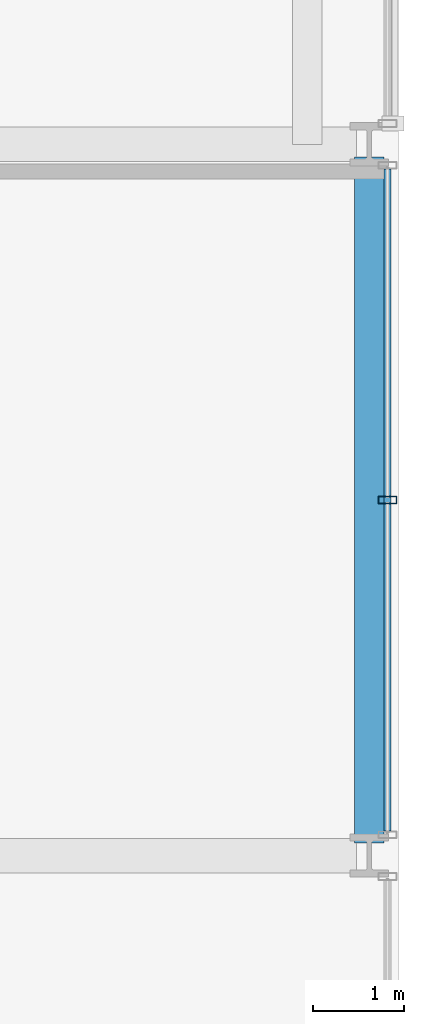
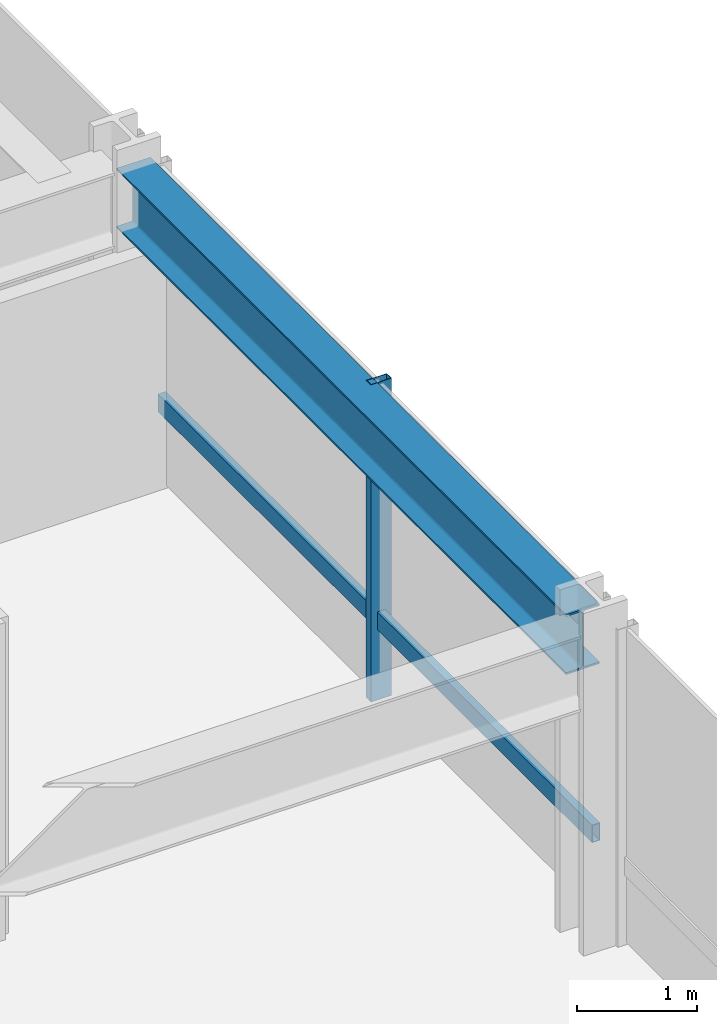
# One storey, part 14 of 37: 2 members, 1 beam, 1 element without a shape of its own.
"""IFC4 building model written with IfcOpenShell, lengths in metres."""

import ifcopenshell
import ifcopenshell.guid

model = None  # the IFC model being written
_history = None  # IfcOwnerHistory: only IFC2X3 demands one
_inside = {}  # id of a spatial element -> (the spatial element, [elements in it])
_under = {}  # id of a project, library or spatial element -> (it, [spatial elements below it])
_declared = {}  # id of a project -> (the project, [libraries it declares])
_typed = {}  # id of a type object -> (the type object, [elements of that type])
_made_of = {}  # id of a material, layer set ... -> (it, [elements and type objects made of it])


def new_model(schema):
    """Start an empty IFC model of exactly this schema.

    Asked for "IFC4X3", IfcOpenShell would pick the latest addendum, in which some entities
    have other attributes; the version numbers below select the first issue.
    IFC2X3 requires an IfcOwnerHistory on every rooted entity: one is made here for all.
    """
    global model, _history
    if schema == "IFC4X3":
        model = ifcopenshell.file(schema_version=(4, 3, 0, 0))
    else:
        model = ifcopenshell.file(schema=schema)
    _inside.clear()
    _under.clear()
    _declared.clear()
    _typed.clear()
    _made_of.clear()
    _history = None
    if model.schema == "IFC2X3":
        org = make("IfcOrganization", Name="unknown")
        user = make(
            "IfcPersonAndOrganization",
            ThePerson=make("IfcPerson", FamilyName="unknown"),
            TheOrganization=org,
        )
        app = make(
            "IfcApplication",
            ApplicationDeveloper=org,
            Version="unknown",
            ApplicationFullName="unknown",
            ApplicationIdentifier="unknown",
        )
        _history = make(
            "IfcOwnerHistory",
            OwningUser=user,
            OwningApplication=app,
            ChangeAction="ADDED",
            CreationDate=0,
        )
    return model


def make(cls, **values):
    """One entity of the class cls with the attributes given. An attribute that is None is left unset."""
    return model.create_entity(
        cls, **{name: value for name, value in values.items() if value is not None}
    )


def rooted(cls, **values):
    """An entity with a GlobalId (a new one), such as an element, a storey or a relation."""
    return make(cls, GlobalId=ifcopenshell.guid.new(), OwnerHistory=_history, **values)


def si_unit(unit_type, name, prefix=None):
    """IfcSIUnit, for example si_unit("LENGTHUNIT", "METRE", prefix="MILLI")."""
    return make("IfcSIUnit", UnitType=unit_type, Prefix=prefix, Name=name)


def assignment(units):
    """IfcUnitAssignment: the units of a project."""
    return None if units is None else make("IfcUnitAssignment", Units=units)


def point(xyz):
    """IfcCartesianPoint."""
    return None if xyz is None else make("IfcCartesianPoint", Coordinates=xyz)


def direction(xyz):
    """IfcDirection."""
    return None if xyz is None else make("IfcDirection", DirectionRatios=xyz)


def frame(location, z_axis=None, x_axis=None):
    """IfcAxis2Placement3D, a coordinate frame: its origin and axes. An axis left out is left unset."""
    return make(
        "IfcAxis2Placement3D",
        Location=point(location),
        Axis=direction(z_axis),
        RefDirection=direction(x_axis),
    )


def frame_2d(location, x_axis=None):
    """IfcAxis2Placement2D, a coordinate frame in the plane: its origin and x axis."""
    return make(
        "IfcAxis2Placement2D", Location=point(location), RefDirection=direction(x_axis)
    )


def origin():
    """The frame at (0, 0, 0) with its axes left unset."""
    return frame((0.0, 0.0, 0.0))


def origin_2d():
    """The frame at (0, 0) in the plane with its x axis left unset."""
    return frame_2d((0.0, 0.0))


def place(relative_to, where):
    """IfcLocalPlacement: puts the frame where relative to a parent placement (None: the world)."""
    return make(
        "IfcLocalPlacement", PlacementRelTo=relative_to, RelativePlacement=where
    )


def context(
    kind, dimensions, precision=None, world=None, true_north=None, identifier=None
):
    """IfcGeometricRepresentationContext, for example the 3D "Model" context."""
    return make(
        "IfcGeometricRepresentationContext",
        ContextIdentifier=identifier,
        ContextType=kind,
        CoordinateSpaceDimension=dimensions,
        Precision=precision,
        WorldCoordinateSystem=world,
        TrueNorth=true_north,
    )


def subcontext(parent, identifier, kind, view, scale=None):
    """IfcGeometricRepresentationSubContext, for example "Body" below "Model"."""
    return make(
        "IfcGeometricRepresentationSubContext",
        ContextIdentifier=identifier,
        ContextType=kind,
        ParentContext=parent,
        TargetScale=scale,
        TargetView=view,
    )


def project(units=None, contexts=None):
    """IfcProject with its units and contexts."""
    return rooted(
        "IfcProject",
        Name="project",
        RepresentationContexts=contexts,
        UnitsInContext=assignment(units),
    )


def spatial(cls, under=None, at=None, **own):
    """A site, building, storey or space (cls), placed at a placement, below another one or the project."""
    s = rooted(cls, ObjectPlacement=at, **own)
    if under is not None:
        _under.setdefault(under.id(), (under, []))[1].append(s)
    return s


def profile(cls, at=None, kind="AREA", **sizes):
    """A parametric profile (cls). Its sizes go by their IFC names, for example OverallWidth=200.0."""
    return make(cls, ProfileType=kind, Position=at, **sizes)


def hollow_rectangle(**sizes):
    """IfcRectangleHollowProfileDef."""
    return profile("IfcRectangleHollowProfileDef", **sizes)


def i_section(**sizes):
    """IfcIShapeProfileDef."""
    return profile("IfcIShapeProfileDef", **sizes)


def extrude(swept, where, along, depth):
    """IfcExtrudedAreaSolid: the profile swept, set in the frame where, extruded along a direction by depth."""
    return make(
        "IfcExtrudedAreaSolid",
        SweptArea=swept,
        Position=where,
        ExtrudedDirection=direction(along),
        Depth=depth,
    )


def shape(context_of_items, identifier, shape_type, items):
    """IfcShapeRepresentation: the items that make up one representation, for example the "Body"."""
    return make(
        "IfcShapeRepresentation",
        ContextOfItems=context_of_items,
        RepresentationIdentifier=identifier,
        RepresentationType=shape_type,
        Items=items,
    )


def material(Name=None, Category=None):
    """IfcMaterial."""
    return make("IfcMaterial", Name=Name, Category=Category)


def layer(
    of_material, thickness, ventilated=None, Name=None, Category=None, Priority=None
):
    """IfcMaterialLayer: one layer of a wall or slab, of a material (None: an air gap)."""
    return make(
        "IfcMaterialLayer",
        Material=of_material,
        LayerThickness=thickness,
        IsVentilated=ventilated,
        Name=Name,
        Category=Category,
        Priority=Priority,
    )


def layer_set(layers, Name=None):
    """IfcMaterialLayerSet."""
    return make("IfcMaterialLayerSet", MaterialLayers=layers, LayerSetName=Name)


def material_profile(
    of_material, cross_section, Name=None, Category=None, Priority=None
):
    """IfcMaterialProfile: a cross section and its material."""
    return make(
        "IfcMaterialProfile",
        Name=Name,
        Material=of_material,
        Profile=cross_section,
        Priority=Priority,
        Category=Category,
    )


def profile_set(profiles, Name=None, composite=None):
    """IfcMaterialProfileSet."""
    return make(
        "IfcMaterialProfileSet",
        Name=Name,
        MaterialProfiles=profiles,
        CompositeProfile=composite,
    )


def made_of(thing, what):
    """Note that an element or type object is made of a material, layer set ...; save() writes the relation."""
    if what is not None:
        _made_of.setdefault(what.id(), (what, []))[1].append(thing)
    return thing


def type_object(cls, material=None, **own):
    """A type object (cls), such as IfcWallType, which elements share."""
    return made_of(rooted(cls, **own), material)


def element(
    cls,
    number,
    at=None,
    inside=None,
    cuts=None,
    type_object=None,
    material=None,
    context=None,
    identifier="Body",
    shape_type=None,
    held_by="IfcProductDefinitionShape",
    body=None,
    shapes=None,
    **own,
):
    """One element of the class cls, such as IfcWall. Its Tag is "e" and its number.

    at: its placement. inside: the storey or other place that contains it. cuts: it is an
    opening in that element (IfcRelVoidsElement). A single representation is given by context,
    identifier, shape_type and body (its items); several are given by shapes. held_by: the class
    of the entity that holds the representations. save() writes the other relations.
    """
    e = rooted(cls, Tag="e%d" % number, ObjectPlacement=at, **own)
    if body is not None:
        shapes = [shape(context, identifier, shape_type, body)]
    if shapes is not None:
        e.Representation = make(held_by, Representations=shapes)
    if inside is not None:
        _inside.setdefault(inside.id(), (inside, []))[1].append(e)
    if cuts is not None:
        rooted(
            "IfcRelVoidsElement", RelatingBuildingElement=cuts, RelatedOpeningElement=e
        )
    if type_object is not None:
        _typed.setdefault(type_object.id(), (type_object, []))[1].append(e)
    return made_of(e, material)


def aggregate(whole, parts):
    """IfcRelAggregates: a whole, such as a stair, and the parts it consists of."""
    return rooted("IfcRelAggregates", RelatingObject=whole, RelatedObjects=parts)


def save(model, path):
    """Write the relations noted so far, then the file.

    IfcRelAggregates (storeys below a building ...), IfcRelContainedInSpatialStructure (elements
    in a storey), IfcRelDefinesByType, IfcRelAssociatesMaterial and IfcRelDeclares: one each for
    every whole, place, type object, material and project.
    """
    for whole, parts in _under.values():
        aggregate(whole, parts)
    for where, things in _inside.values():
        rooted(
            "IfcRelContainedInSpatialStructure",
            RelatedElements=things,
            RelatingStructure=where,
        )
    for kind, things in _typed.values():
        rooted("IfcRelDefinesByType", RelatedObjects=things, RelatingType=kind)
    for what, things in _made_of.values():
        rooted("IfcRelAssociatesMaterial", RelatedObjects=things, RelatingMaterial=what)
    for by, libraries in _declared.values():
        rooted("IfcRelDeclares", RelatingContext=by, RelatedDefinitions=libraries)
    model.write(path)


model = new_model("IFC4")

# Units and contexts
model_context = context("Model", 3, precision=1e-05, world=origin(), true_north=direction((0.0, 1.0)))
body_context = subcontext(model_context, "Body", "Model", "MODEL_VIEW")
ifc_project = project(units=[si_unit("LENGTHUNIT", "METRE"), si_unit("AREAUNIT", "SQUARE_METRE"), si_unit("VOLUMEUNIT", "CUBIC_METRE"), si_unit("PLANEANGLEUNIT", "RADIAN"), si_unit("MASSUNIT", "GRAM", prefix="KILO")], contexts=[model_context])

# Site, building, storey
site_placement = place(None, origin())
site = spatial("IfcSite", under=ifc_project, at=site_placement, CompositionType="ELEMENT")
building_placement = place(site_placement, origin())
building = spatial("IfcBuilding", under=site, at=building_placement, Name="Drelvath Grand Hotel", CompositionType="ELEMENT")
storey_placement = place(building_placement, frame((0.0, 0.0, 75.199951171875)))
storey = spatial("IfcBuildingStorey", under=building, at=storey_placement, Name="L18", CompositionType="ELEMENT", Elevation=75.199951171875)

# Curtain wall, members
ifc_material_1 = material(Name="Warm Bronze Anodised Aluminium Frame", Category="aluminium")
ifc_layer = layer(ifc_material_1, 0.199951171875)
ifc_layer_set = layer_set([ifc_layer], Name="Warm Bronze Anodised Aluminium Frame")
curtain_wall_type = type_object("IfcCurtainWallType", Name="Stick Curtain Wall CW-02 Warm Bronze Low-Rise", PredefinedType="NOTDEFINED", material=ifc_layer_set)
curtain_wall_placement = place(storey_placement, origin())
curtain_wall = element("IfcCurtainWall", 1, at=curtain_wall_placement, inside=storey, type_object=curtain_wall_type, Name="L18 CW-02 Curtain Wall CW02-L18-ES2", PredefinedType="NOTDEFINED")
ifc_material_profile_1 = material_profile(ifc_material_1, hollow_rectangle(XDim=0.074951171875, YDim=0.179931640625, WallThickness=0.0048828125, at=origin_2d()), Name="HSS180X75X5")
ifc_profile_set_1 = profile_set([ifc_material_profile_1], Name="Warm Bronze Anodised Aluminium Frame")
member_type_1 = type_object("IfcMemberType", Name="Curtain Wall Horizontal Transom CW-02 HSS180X75X5", PredefinedType="USERDEFINED", material=ifc_profile_set_1)
member_1_placement = place(storey_placement, frame((26.8798828125, 18.330810546875, 0.81005859375), z_axis=(0.0, -1.0, 0.0), x_axis=(1.0, 0.0, 0.0)))
member_1 = element("IfcMember", 2, at=member_1_placement, type_object=member_type_1, Name="CW02-L18-ES2 Sill Transom", ObjectType="TRANSOM", PredefinedType="USERDEFINED", context=body_context, shape_type="SweptSolid", body=[
    extrude(hollow_rectangle(XDim=0.074951171875, YDim=0.179931640625, WallThickness=0.0048828125, at=origin_2d()), origin(), (0.0, 0.0, 1.0), 7.26171875),
])
ifc_material_profile_2 = material_profile(ifc_material_1, hollow_rectangle(XDim=0.080078125, YDim=0.199951171875, WallThickness=0.0048828125, at=origin_2d()), Name="HSS200X80X5")
ifc_profile_set_2 = profile_set([ifc_material_profile_2], Name="Warm Bronze Anodised Aluminium Frame")
member_type_2 = type_object("IfcMemberType", Name="Curtain Wall Vertical Mullion CW-02 HSS200X80X5", PredefinedType="MULLION", material=ifc_profile_set_2)
member_2_placement = place(storey_placement, frame((26.8798828125, 14.699951171875, 0.0), z_axis=(0.0, 0.0, 1.0), x_axis=(0.0, 1.0, 0.0)))
member_2 = element("IfcMember", 3, at=member_2_placement, type_object=member_type_2, Name="CW02-L18-ES2 Mullion 2", PredefinedType="MULLION", context=body_context, shape_type="SweptSolid", body=[
    extrude(hollow_rectangle(XDim=0.080078125, YDim=0.199951171875, WallThickness=0.0048828125, at=origin_2d()), origin(), (0.0, 0.0, 1.0), 3.239990234375),
])
aggregate(curtain_wall, [member_2, member_1])

# Beam
ifc_material_2 = material(Name="Steel ASTM A992 Gr 50", Category="steel")
ifc_material_profile_3 = material_profile(ifc_material_2, i_section(OverallWidth=0.323974609375, OverallDepth=0.611083984375, WebThickness=0.0126953125, FlangeThickness=0.01904296875, FilletRadius=0.02197265625, at=origin_2d()), Name="W24X104")
ifc_profile_set_3 = profile_set([ifc_material_profile_3], Name="Steel ASTM A992 Gr 50")
beam_type = type_object("IfcBeamType", Name="Perimeter Spandrel Beam W24X104", PredefinedType="SPANDREL", material=ifc_profile_set_3)
beam_placement = place(storey_placement, frame((26.679931640625, 10.93994140625, 2.9345703125), z_axis=(0.0, 1.0, 0.0), x_axis=(-1.0, 0.0, 0.0)))
element("IfcBeam", 4, at=beam_placement, inside=storey, type_object=beam_type, Name="L18 Spandrel East S", PredefinedType="SPANDREL", context=body_context, shape_type="SweptSolid", body=[
    extrude(i_section(OverallWidth=0.323974609375, OverallDepth=0.611083984375, WebThickness=0.0126953125, FlangeThickness=0.01904296875, FilletRadius=0.02197265625, at=origin_2d()), origin(), (0.0, 0.0, 1.0), 7.52001953125),
])

save(model, "model.ifc")
